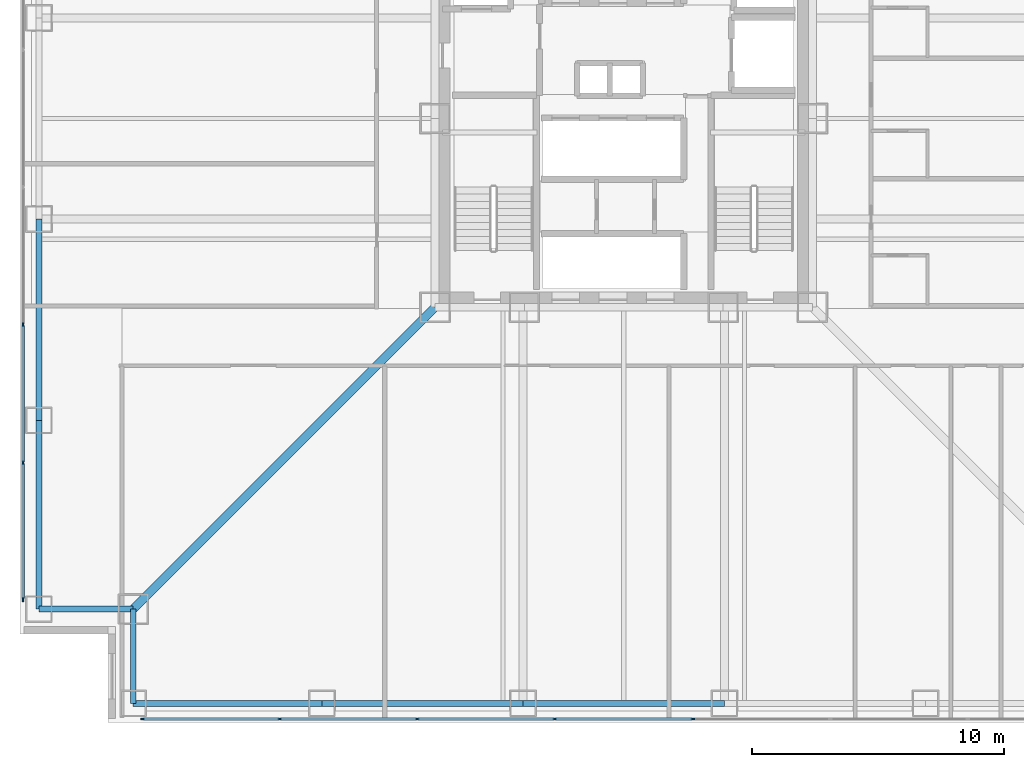
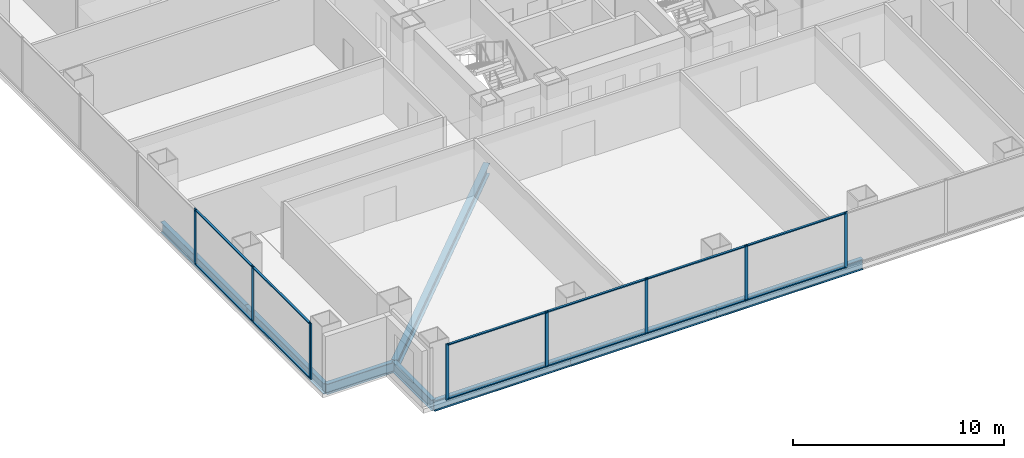
# One storey, part 2 of 16: 20 members, 8 beams, 2 elements without a shape of their own.
"""IFC4 building model written with IfcOpenShell, lengths in metres."""

from ifc_helpers import new_model, si_unit, direction, frame, origin, origin_2d, place, context, subcontext, project, spatial, rectangle, i_section, extrude, material, layer, layer_set, material_profile, profile_set, type_object, element, aggregate, save


model = new_model("IFC4")

# Units and contexts
model_context = context("Model", 3, precision=1e-05, world=origin(), true_north=direction((0.0, 1.0)))
body_context = subcontext(model_context, "Body", "Model", "MODEL_VIEW")
ifc_project = project(units=[si_unit("LENGTHUNIT", "METRE"), si_unit("AREAUNIT", "SQUARE_METRE"), si_unit("VOLUMEUNIT", "CUBIC_METRE"), si_unit("PLANEANGLEUNIT", "RADIAN"), si_unit("MASSUNIT", "GRAM", prefix="KILO")], contexts=[model_context])

# Site, building, storey
site_placement = place(None, origin())
site = spatial("IfcSite", under=ifc_project, at=site_placement, CompositionType="ELEMENT")
building_placement = place(site_placement, origin())
building = spatial("IfcBuilding", under=site, at=building_placement, Name="Trevonay Congress Spire", CompositionType="ELEMENT")
storey_placement = place(building_placement, frame((0.0, 0.0, 72.5)))
storey = spatial("IfcBuildingStorey", under=building, at=storey_placement, Name="L18", CompositionType="ELEMENT", Elevation=72.5)

# Beams
ifc_material_1 = material(Name="Steel ASTM A572 Grade 50", Category="steel")
ifc_material_profile_1 = material_profile(ifc_material_1, i_section(OverallWidth=0.324951171875, OverallDepth=0.615966796875, WebThickness=0.013916015625, FlangeThickness=0.021484375, FilletRadius=0.01806640625, at=origin_2d()), Name="W610x174")
ifc_profile_set_1 = profile_set([ifc_material_profile_1], Name="Steel ASTM A572 Grade 50")
beam_type_1 = type_object("IfcBeamType", Name="BM-GIRD-W610X174", PredefinedType="BEAM", material=ifc_profile_set_1)
beam_placement = place(storey_placement, frame((-7.5, -7.5, -0.55810546875), z_axis=(-0.707106781187, -0.707106781187, 0.0), x_axis=(0.707106781187, -0.707106781187, 0.0)))
element("IfcBeam", 1, at=beam_placement, inside=storey, type_object=beam_type_1, Name="L18 structural beam BM-L18-CDSW", PredefinedType="BEAM", context=body_context, shape_type="SweptSolid", body=[
    extrude(i_section(OverallWidth=0.324951171875, OverallDepth=0.615966796875, WebThickness=0.013916015625, FlangeThickness=0.021484375, FilletRadius=0.01806640625, at=origin_2d()), origin(), (0.0, 0.0, 1.0), 16.970458984375),
])
ifc_material_profile_2 = material_profile(ifc_material_1, i_section(OverallWidth=0.22998046875, OverallDepth=0.616943359375, WebThickness=0.01318359375, FlangeThickness=0.022216796875, FilletRadius=0.01611328125, at=origin_2d()), Name="W610x140")
ifc_profile_set_2 = profile_set([ifc_material_profile_2], Name="Steel ASTM A572 Grade 50")
beam_type_2 = type_object("IfcBeamType", Name="BM-RING-W610X140", PredefinedType="BEAM", material=ifc_profile_set_2)
for number, where, z_axis, x_axis, name in (
    (2, (-19.5, -23.25, -0.55859375), (1.0, 0.0, 0.0), (0.0, 1.0, 0.0), "L18 structural beam BM-L18-PS1"),
    (3, (-23.25, -19.5, -0.55859375), (0.0, 1.0, 0.0), (-1.0, 0.0, 0.0), "L18 structural beam BM-L18-PW1"),
):
    element("IfcBeam", number, at=place(storey_placement, frame(where, z_axis=z_axis, x_axis=x_axis)), inside=storey, type_object=beam_type_2, Name=name, PredefinedType="BEAM", context=body_context, shape_type="SweptSolid", body=[
        extrude(i_section(OverallWidth=0.22998046875, OverallDepth=0.616943359375, WebThickness=0.01318359375, FlangeThickness=0.022216796875, FilletRadius=0.01611328125, at=origin_2d()), origin(), (0.0, 0.0, 1.0), 7.5),
    ])
for number, where, z_axis, x_axis, name in (
    (4, (-12.0, -23.25, -0.55859375), (1.0, 0.0, 0.0), (0.0, 1.0, 0.0), "L18 structural beam BM-L18-PS2"),
    (5, (-23.25, -12.0, -0.55859375), (0.0, 1.0, 0.0), (-1.0, 0.0, 0.0), "L18 structural beam BM-L18-PW2"),
    (6, (-4.0, -23.25, -0.55859375), (1.0, 0.0, 0.0), (0.0, 1.0, 0.0), "L18 structural beam BM-L18-PS3"),
):
    element("IfcBeam", number, at=place(storey_placement, frame(where, z_axis=z_axis, x_axis=x_axis)), inside=storey, type_object=beam_type_2, Name=name, PredefinedType="BEAM", context=body_context, shape_type="SweptSolid", body=[
        extrude(i_section(OverallWidth=0.22998046875, OverallDepth=0.616943359375, WebThickness=0.01318359375, FlangeThickness=0.022216796875, FilletRadius=0.01611328125, at=origin_2d()), origin(), (0.0, 0.0, 1.0), 8.0),
    ])
for number, where, z_axis, x_axis, name in (
    (7, (-19.5, -23.25, -0.55859375), (0.0, 1.0, 0.0), (-1.0, 0.0, 0.0), "L18 structural beam BM-L18-N1SW"),
    (8, (-23.25, -19.5, -0.55859375), (1.0, 0.0, 0.0), (0.0, 1.0, 0.0), "L18 structural beam BM-L18-N2SW"),
):
    element("IfcBeam", number, at=place(storey_placement, frame(where, z_axis=z_axis, x_axis=x_axis)), inside=storey, type_object=beam_type_2, Name=name, PredefinedType="BEAM", context=body_context, shape_type="SweptSolid", body=[
        extrude(i_section(OverallWidth=0.22998046875, OverallDepth=0.616943359375, WebThickness=0.01318359375, FlangeThickness=0.022216796875, FilletRadius=0.01611328125, at=origin_2d()), origin(), (0.0, 0.0, 1.0), 3.75),
    ])

# Curtain wall, members
ifc_material_2 = material(Name="Pale Anodised Aluminium EN AW-6063-T6", Category="aluminium")
ifc_layer = layer(ifc_material_2, 0.179931640625, Name="Pale Anodised Aluminium EN AW-6063-T6")
ifc_layer_set = layer_set([ifc_layer], Name="Pale Anodised Aluminium EN AW-6063-T6")
curtain_wall_type = type_object("IfcCurtainWallType", Name="CW-SYS02-HOTEL-PALE-METAL", PredefinedType="NOTDEFINED", material=ifc_layer_set)
curtain_wall_1_placement = place(storey_placement, origin())
curtain_wall_1 = element("IfcCurtainWall", 9, at=curtain_wall_1_placement, inside=storey, type_object=curtain_wall_type, Name="L18 S unitised curtain wall", PredefinedType="NOTDEFINED")
ifc_material_profile_3 = material_profile(ifc_material_2, rectangle(XDim=0.06005859375, YDim=0.159912109375, at=origin_2d()), Name="CW-MULLION-160-ALUMINIUM")
ifc_profile_set_3 = profile_set([ifc_material_profile_3], Name="Pale Anodised Aluminium EN AW-6063-T6")
member_type_1 = type_object("IfcMemberType", Name="CW-MULLION-160-ALUMINIUM", PredefinedType="MULLION", material=ifc_profile_set_3)
member_1_placement = place(storey_placement, frame((-19.1201171875, -23.8798828125, 0.0), z_axis=(0.0, 0.0, 1.0), x_axis=(0.0, 1.0, 0.0)))
member_1 = element("IfcMember", 10, at=member_1_placement, type_object=member_type_1, Name="CW02 mullion 1", PredefinedType="MULLION", context=body_context, shape_type="SweptSolid", body=[
    extrude(rectangle(XDim=0.06005859375, YDim=0.159912109375, at=origin_2d()), origin(), (0.0, 0.0, 1.0), 3.25),
])
member_2_placement = place(storey_placement, frame((-13.678466796875, -23.8798828125, 0.0), z_axis=(0.0, 0.0, 1.0), x_axis=(0.0, 1.0, 0.0)))
member_2 = element("IfcMember", 11, at=member_2_placement, type_object=member_type_1, Name="CW02 mullion 2", PredefinedType="MULLION", context=body_context, shape_type="SweptSolid", body=[
    extrude(rectangle(XDim=0.06005859375, YDim=0.159912109375, at=origin_2d()), origin(), (0.0, 0.0, 1.0), 3.25),
])
member_3_placement = place(storey_placement, frame((-8.20703125, -23.8798828125, 0.0), z_axis=(0.0, 0.0, 1.0), x_axis=(0.0, 1.0, 0.0)))
member_3 = element("IfcMember", 12, at=member_3_placement, type_object=member_type_1, Name="CW02 mullion 3", PredefinedType="MULLION", context=body_context, shape_type="SweptSolid", body=[
    extrude(rectangle(XDim=0.06005859375, YDim=0.159912109375, at=origin_2d()), origin(), (0.0, 0.0, 1.0), 3.25),
])
member_4_placement = place(storey_placement, frame((-2.735595703125, -23.8798828125, 0.0), z_axis=(0.0, 0.0, 1.0), x_axis=(0.0, 1.0, 0.0)))
member_4 = element("IfcMember", 13, at=member_4_placement, type_object=member_type_1, Name="CW02 mullion 4", PredefinedType="MULLION", context=body_context, shape_type="SweptSolid", body=[
    extrude(rectangle(XDim=0.06005859375, YDim=0.159912109375, at=origin_2d()), origin(), (0.0, 0.0, 1.0), 3.25),
])
member_5_placement = place(storey_placement, frame((2.735595703125, -23.8798828125, 0.0), z_axis=(0.0, 0.0, 1.0), x_axis=(0.0, 1.0, 0.0)))
member_5 = element("IfcMember", 14, at=member_5_placement, type_object=member_type_1, Name="CW02 mullion 5", PredefinedType="MULLION", context=body_context, shape_type="SweptSolid", body=[
    extrude(rectangle(XDim=0.06005859375, YDim=0.159912109375, at=origin_2d()), origin(), (0.0, 0.0, 1.0), 3.25),
])

curtain_wall_2_placement = place(storey_placement, origin())
curtain_wall_2 = element("IfcCurtainWall", 15, at=curtain_wall_2_placement, inside=storey, type_object=curtain_wall_type, Name="L18 W unitised curtain wall", PredefinedType="NOTDEFINED")
member_6_placement = place(storey_placement, frame((-23.8798828125, -19.1201171875, 0.0), z_axis=(0.0, 0.0, 1.0), x_axis=(-1.0, 0.0, 0.0)))
member_6 = element("IfcMember", 16, at=member_6_placement, type_object=member_type_1, Name="CW02 mullion 1", PredefinedType="MULLION", context=body_context, shape_type="SweptSolid", body=[
    extrude(rectangle(XDim=0.06005859375, YDim=0.159912109375, at=origin_2d()), origin(), (0.0, 0.0, 1.0), 3.25),
])
member_7_placement = place(storey_placement, frame((-23.8798828125, -13.678466796875, 0.0), z_axis=(0.0, 0.0, 1.0), x_axis=(-1.0, 0.0, 0.0)))
member_7 = element("IfcMember", 17, at=member_7_placement, type_object=member_type_1, Name="CW02 mullion 2", PredefinedType="MULLION", context=body_context, shape_type="SweptSolid", body=[
    extrude(rectangle(XDim=0.06005859375, YDim=0.159912109375, at=origin_2d()), origin(), (0.0, 0.0, 1.0), 3.25),
])
member_8_placement = place(storey_placement, frame((-23.8798828125, -8.20703125, 0.0), z_axis=(0.0, 0.0, 1.0), x_axis=(-1.0, 0.0, 0.0)))
member_8 = element("IfcMember", 18, at=member_8_placement, type_object=member_type_1, Name="CW02 mullion 3", PredefinedType="MULLION", context=body_context, shape_type="SweptSolid", body=[
    extrude(rectangle(XDim=0.06005859375, YDim=0.159912109375, at=origin_2d()), origin(), (0.0, 0.0, 1.0), 3.25),
])

# Member
ifc_material_profile_4 = material_profile(ifc_material_2, rectangle(XDim=0.1201171875, YDim=0.06005859375, at=origin_2d()), Name="CW-TRANSOM-120-ALUMINIUM")
ifc_profile_set_4 = profile_set([ifc_material_profile_4], Name="Pale Anodised Aluminium EN AW-6063-T6")
member_type_2 = type_object("IfcMemberType", Name="CW-TRANSOM-120-ALUMINIUM", PredefinedType="USERDEFINED", material=ifc_profile_set_4)
member_9_placement = place(storey_placement, frame((-19.090087890625, -23.8798828125, 0.06005859375), z_axis=(1.0, 0.0, 0.0), x_axis=(0.0, 1.0, 0.0)))
member_9 = element("IfcMember", 19, at=member_9_placement, type_object=member_type_2, Name="CW02 transom 1.1", ObjectType="TRANSOM", PredefinedType="USERDEFINED", context=body_context, shape_type="SweptSolid", body=[
    extrude(rectangle(XDim=0.1201171875, YDim=0.06005859375, at=origin_2d()), origin(), (0.0, 0.0, 1.0), 5.381591796875),
])

member_10_placement = place(storey_placement, frame((-19.090087890625, -23.8798828125, 3.18994140625), z_axis=(1.0, 0.0, 0.0), x_axis=(0.0, 1.0, 0.0)))
member_10 = element("IfcMember", 20, at=member_10_placement, type_object=member_type_2, Name="CW02 transom 1.2", ObjectType="TRANSOM", PredefinedType="USERDEFINED", context=body_context, shape_type="SweptSolid", body=[
    extrude(rectangle(XDim=0.1201171875, YDim=0.06005859375, at=origin_2d()), origin(), (0.0, 0.0, 1.0), 5.381591796875),
])

member_11_placement = place(storey_placement, frame((-13.648681640625, -23.8798828125, 0.06005859375), z_axis=(1.0, 0.0, 0.0), x_axis=(0.0, 1.0, 0.0)))
member_11 = element("IfcMember", 21, at=member_11_placement, type_object=member_type_2, Name="CW02 transom 2.1", ObjectType="TRANSOM", PredefinedType="USERDEFINED", context=body_context, shape_type="SweptSolid", body=[
    extrude(rectangle(XDim=0.1201171875, YDim=0.06005859375, at=origin_2d()), origin(), (0.0, 0.0, 1.0), 5.41162109375),
])

member_12_placement = place(storey_placement, frame((-13.648681640625, -23.8798828125, 3.18994140625), z_axis=(1.0, 0.0, 0.0), x_axis=(0.0, 1.0, 0.0)))
member_12 = element("IfcMember", 22, at=member_12_placement, type_object=member_type_2, Name="CW02 transom 2.2", ObjectType="TRANSOM", PredefinedType="USERDEFINED", context=body_context, shape_type="SweptSolid", body=[
    extrude(rectangle(XDim=0.1201171875, YDim=0.06005859375, at=origin_2d()), origin(), (0.0, 0.0, 1.0), 5.41162109375),
])

member_13_placement = place(storey_placement, frame((-8.17724609375, -23.8798828125, 0.06005859375), z_axis=(1.0, 0.0, 0.0), x_axis=(0.0, 1.0, 0.0)))
member_13 = element("IfcMember", 23, at=member_13_placement, type_object=member_type_2, Name="CW02 transom 3.1", ObjectType="TRANSOM", PredefinedType="USERDEFINED", context=body_context, shape_type="SweptSolid", body=[
    extrude(rectangle(XDim=0.1201171875, YDim=0.06005859375, at=origin_2d()), origin(), (0.0, 0.0, 1.0), 5.41162109375),
])

member_14_placement = place(storey_placement, frame((-8.17724609375, -23.8798828125, 3.18994140625), z_axis=(1.0, 0.0, 0.0), x_axis=(0.0, 1.0, 0.0)))
member_14 = element("IfcMember", 24, at=member_14_placement, type_object=member_type_2, Name="CW02 transom 3.2", ObjectType="TRANSOM", PredefinedType="USERDEFINED", context=body_context, shape_type="SweptSolid", body=[
    extrude(rectangle(XDim=0.1201171875, YDim=0.06005859375, at=origin_2d()), origin(), (0.0, 0.0, 1.0), 5.41162109375),
])

member_15_placement = place(storey_placement, frame((-2.705810546875, -23.8798828125, 0.06005859375), z_axis=(1.0, 0.0, 0.0), x_axis=(0.0, 1.0, 0.0)))
member_15 = element("IfcMember", 25, at=member_15_placement, type_object=member_type_2, Name="CW02 transom 4.1", ObjectType="TRANSOM", PredefinedType="USERDEFINED", context=body_context, shape_type="SweptSolid", body=[
    extrude(rectangle(XDim=0.1201171875, YDim=0.06005859375, at=origin_2d()), origin(), (0.0, 0.0, 1.0), 5.41162109375),
])

member_16_placement = place(storey_placement, frame((-2.705810546875, -23.8798828125, 3.18994140625), z_axis=(1.0, 0.0, 0.0), x_axis=(0.0, 1.0, 0.0)))
member_16 = element("IfcMember", 26, at=member_16_placement, type_object=member_type_2, Name="CW02 transom 4.2", ObjectType="TRANSOM", PredefinedType="USERDEFINED", context=body_context, shape_type="SweptSolid", body=[
    extrude(rectangle(XDim=0.1201171875, YDim=0.06005859375, at=origin_2d()), origin(), (0.0, 0.0, 1.0), 5.41162109375),
])

aggregate(curtain_wall_1, [member_1, member_2, member_3, member_4, member_5, member_9, member_10, member_11, member_12, member_13, member_14, member_15, member_16])

member_17_placement = place(storey_placement, frame((-23.8798828125, -19.090087890625, 0.06005859375), z_axis=(0.0, 1.0, 0.0), x_axis=(-1.0, 0.0, 0.0)))
member_17 = element("IfcMember", 27, at=member_17_placement, type_object=member_type_2, Name="CW02 transom 1.1", ObjectType="TRANSOM", PredefinedType="USERDEFINED", context=body_context, shape_type="SweptSolid", body=[
    extrude(rectangle(XDim=0.1201171875, YDim=0.06005859375, at=origin_2d()), origin(), (0.0, 0.0, 1.0), 5.381591796875),
])

member_18_placement = place(storey_placement, frame((-23.8798828125, -19.090087890625, 3.18994140625), z_axis=(0.0, 1.0, 0.0), x_axis=(-1.0, 0.0, 0.0)))
member_18 = element("IfcMember", 28, at=member_18_placement, type_object=member_type_2, Name="CW02 transom 1.2", ObjectType="TRANSOM", PredefinedType="USERDEFINED", context=body_context, shape_type="SweptSolid", body=[
    extrude(rectangle(XDim=0.1201171875, YDim=0.06005859375, at=origin_2d()), origin(), (0.0, 0.0, 1.0), 5.381591796875),
])

member_19_placement = place(storey_placement, frame((-23.8798828125, -13.648681640625, 0.06005859375), z_axis=(0.0, 1.0, 0.0), x_axis=(-1.0, 0.0, 0.0)))
member_19 = element("IfcMember", 29, at=member_19_placement, type_object=member_type_2, Name="CW02 transom 2.1", ObjectType="TRANSOM", PredefinedType="USERDEFINED", context=body_context, shape_type="SweptSolid", body=[
    extrude(rectangle(XDim=0.1201171875, YDim=0.06005859375, at=origin_2d()), origin(), (0.0, 0.0, 1.0), 5.41162109375),
])

member_20_placement = place(storey_placement, frame((-23.8798828125, -13.648681640625, 3.18994140625), z_axis=(0.0, 1.0, 0.0), x_axis=(-1.0, 0.0, 0.0)))
member_20 = element("IfcMember", 30, at=member_20_placement, type_object=member_type_2, Name="CW02 transom 2.2", ObjectType="TRANSOM", PredefinedType="USERDEFINED", context=body_context, shape_type="SweptSolid", body=[
    extrude(rectangle(XDim=0.1201171875, YDim=0.06005859375, at=origin_2d()), origin(), (0.0, 0.0, 1.0), 5.41162109375),
])

aggregate(curtain_wall_2, [member_6, member_7, member_8, member_17, member_18, member_19, member_20])

save(model, "model.ifc")
